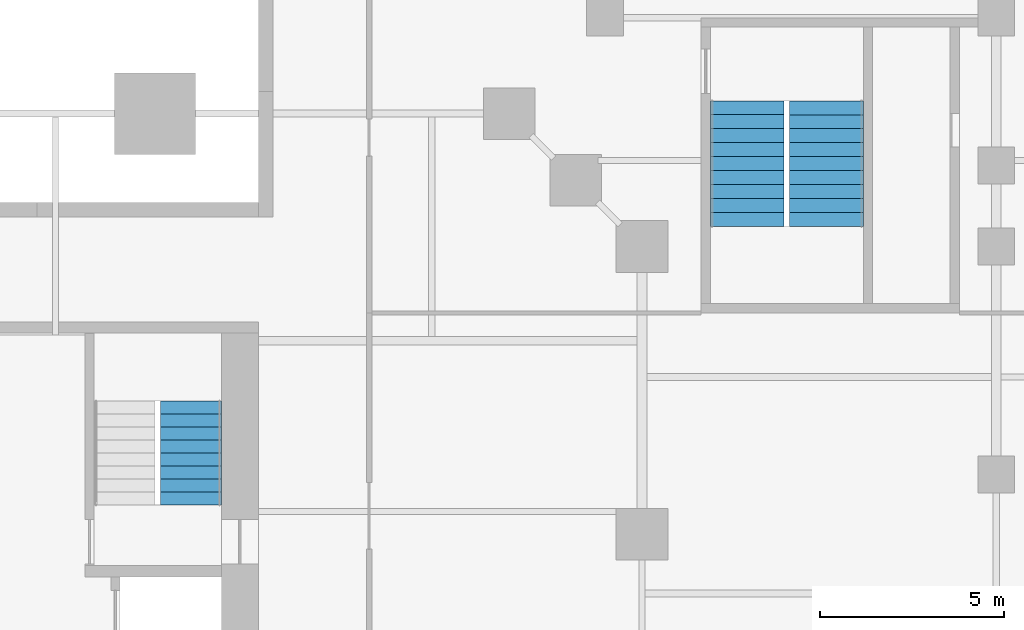
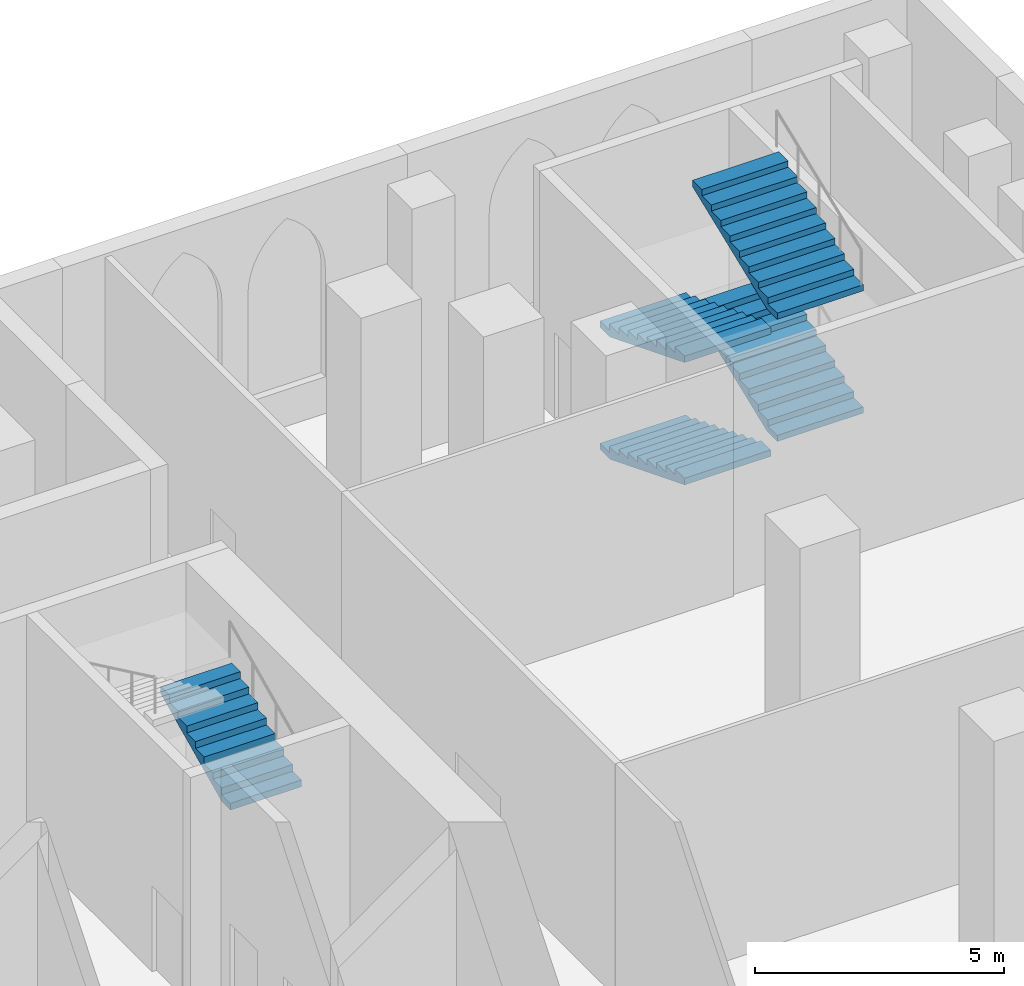
# One storey, part 19 of 21: 5 stair flights, 2 elements without a shape of their own.
"""IFC4 building model written with IfcOpenShell, lengths in metres."""

from ifc_helpers import new_model, si_unit, direction, frame, origin, place, context, subcontext, project, spatial, polyline, outline, extrude, material, type_object, element, aggregate, save


model = new_model("IFC4")

# Units and contexts
model_context = context("Model", 3, precision=1e-05, world=origin(), true_north=direction((0.0, 1.0)))
body_context = subcontext(model_context, "Body", "Model", "MODEL_VIEW")
ifc_project = project(units=[si_unit("LENGTHUNIT", "METRE"), si_unit("AREAUNIT", "SQUARE_METRE"), si_unit("VOLUMEUNIT", "CUBIC_METRE"), si_unit("PLANEANGLEUNIT", "RADIAN"), si_unit("MASSUNIT", "GRAM", prefix="KILO")], contexts=[model_context])

# Site, building, storey
site_placement = place(None, origin())
site = spatial("IfcSite", under=ifc_project, at=site_placement, CompositionType="ELEMENT")
building_placement = place(site_placement, origin())
building = spatial("IfcBuilding", under=site, at=building_placement, Name="Ogive Exchange Tower", CompositionType="ELEMENT")
storey_placement = place(building_placement, frame((0.0, 0.0, 8.0)))
storey = spatial("IfcBuildingStorey", under=building, at=storey_placement, Name="L01", CompositionType="ELEMENT", Elevation=8.0)

# Stair, stair flight
ifc_material = material(Name="Concrete C40/50", Category="concrete")
stair_type_1 = type_object("IfcStairType", Name="Exit stair 1650 wide", PredefinedType="HALF_TURN_STAIR", material=ifc_material)
stair_1_placement = place(storey_placement, origin())
stair_1 = element("IfcStair", 1, at=stair_1_placement, inside=storey, type_object=stair_type_1, Name="L01 exit stair ST4", PredefinedType="HALF_TURN_STAIR")
stair_flight_type_1 = type_object("IfcStairFlightType", Name="Stair flight 1650 wide", PredefinedType="STRAIGHT", material=ifc_material)
stair_flight_1_placement = place(storey_placement, frame((20.175048828125, 20.800048828125, 3.0), z_axis=(0.0, 0.0, 1.0), x_axis=(0.0, 1.0, 0.0)))
stair_flight_1 = element("IfcStairFlight", 2, at=stair_flight_1_placement, type_object=stair_flight_type_1, Name="ST4 flight 3", NumberOfRisers=9, NumberOfTreads=8, PredefinedType="STRAIGHT", RiserHeight=0.166666667, TreadLength=0.351, context=body_context, shape_type="SweptSolid", body=[
    extrude(outline(polyline([(0.0, 0.0), (0.0, 0.166748046875), (0.35107421875, 0.166748046875), (0.35107421875, 0.333251953125), (0.701904296875, 0.333251953125), (0.701904296875, 0.5), (1.052978515625, 0.5), (1.052978515625, 0.666748046875), (1.404052734375, 0.666748046875), (1.404052734375, 0.833251953125), (1.7548828125, 0.833251953125), (1.7548828125, 1.0), (2.10595703125, 1.0), (2.10595703125, 1.166748046875), (2.45703125, 1.166748046875), (2.45703125, 1.333251953125), (2.80810546875, 1.333251953125), (2.80810546875, 1.5), (2.80810546875, 1.16748046875), (0.349365234375, 0.0), (0.0, 0.0)])), frame((0.0, 0.824951171875, 0.0), z_axis=(0.0, -1.0, 0.0), x_axis=(1.0, 0.0, 0.0)), (0.0, 0.0, 1.0), 1.64990234375),
])
aggregate(stair_1, [stair_flight_1])

# Stair, stair flights
stair_type_2 = type_object("IfcStairType", Name="Exit stair 2000 wide", PredefinedType="HALF_TURN_STAIR", material=ifc_material)
stair_2_placement = place(storey_placement, origin())
stair_2 = element("IfcStair", 3, at=stair_2_placement, inside=storey, type_object=stair_type_2, Name="L01 exit stair PS4", PredefinedType="HALF_TURN_STAIR")
stair_flight_type_2 = type_object("IfcStairFlightType", Name="Stair flight 2000 wide", PredefinedType="STRAIGHT", material=ifc_material)
stair_flight_2_placement = place(storey_placement, frame((35.25, 31.75, 0.0), z_axis=(0.0, 0.0, 1.0), x_axis=(0.0, -1.0, 0.0)))
stair_flight_2 = element("IfcStairFlight", 4, at=stair_flight_2_placement, type_object=stair_flight_type_2, Name="PS4 flight 1", NumberOfRisers=10, NumberOfTreads=9, PredefinedType="STRAIGHT", RiserHeight=0.15, TreadLength=0.378, context=body_context, shape_type="SweptSolid", body=[
    extrude(outline(polyline([(0.0, 0.0), (0.0, 0.14990234375), (0.3779296875, 0.14990234375), (0.3779296875, 0.300048828125), (0.756103515625, 0.300048828125), (0.756103515625, 0.449951171875), (1.134033203125, 0.449951171875), (1.134033203125, 0.60009765625), (1.511962890625, 0.60009765625), (1.511962890625, 0.75), (1.889892578125, 0.75), (1.889892578125, 0.89990234375), (2.26806640625, 0.89990234375), (2.26806640625, 1.050048828125), (2.64599609375, 1.050048828125), (2.64599609375, 1.199951171875), (3.02392578125, 1.199951171875), (3.02392578125, 1.35009765625), (3.402099609375, 1.35009765625), (3.402099609375, 1.5), (3.402099609375, 1.188720703125), (0.406494140625, 0.0), (0.0, 0.0)])), frame((0.0, 1.0, 0.0), z_axis=(0.0, -1.0, 0.0), x_axis=(1.0, 0.0, 0.0)), (0.0, 0.0, 1.0), 2.0),
])
stair_flight_3_placement = place(storey_placement, frame((37.39990234375, 28.347900390625, 1.5), z_axis=(0.0, 0.0, 1.0), x_axis=(0.0, 1.0, 0.0)))
stair_flight_3 = element("IfcStairFlight", 5, at=stair_flight_3_placement, type_object=stair_flight_type_2, Name="PS4 flight 2", NumberOfRisers=10, NumberOfTreads=9, PredefinedType="STRAIGHT", RiserHeight=0.15, TreadLength=0.378, context=body_context, shape_type="SweptSolid", body=[
    extrude(outline(polyline([(0.0, 0.0), (0.0, 0.14990234375), (0.3779296875, 0.14990234375), (0.3779296875, 0.300048828125), (0.756103515625, 0.300048828125), (0.756103515625, 0.449951171875), (1.134033203125, 0.449951171875), (1.134033203125, 0.60009765625), (1.511962890625, 0.60009765625), (1.511962890625, 0.75), (1.889892578125, 0.75), (1.889892578125, 0.89990234375), (2.26806640625, 0.89990234375), (2.26806640625, 1.050048828125), (2.64599609375, 1.050048828125), (2.64599609375, 1.199951171875), (3.02392578125, 1.199951171875), (3.02392578125, 1.35009765625), (3.402099609375, 1.35009765625), (3.402099609375, 1.5), (3.402099609375, 1.188720703125), (0.406494140625, 0.0), (0.0, 0.0)])), frame((0.0, 1.0, 0.0), z_axis=(0.0, -1.0, 0.0), x_axis=(1.0, 0.0, 0.0)), (0.0, 0.0, 1.0), 2.0),
])
stair_flight_4_placement = place(storey_placement, frame((35.25, 31.75, 3.0), z_axis=(0.0, 0.0, 1.0), x_axis=(0.0, -1.0, 0.0)))
stair_flight_4 = element("IfcStairFlight", 6, at=stair_flight_4_placement, type_object=stair_flight_type_2, Name="PS4 flight 3", NumberOfRisers=10, NumberOfTreads=9, PredefinedType="STRAIGHT", RiserHeight=0.15, TreadLength=0.378, context=body_context, shape_type="SweptSolid", body=[
    extrude(outline(polyline([(0.0, 0.0), (0.0, 0.14990234375), (0.3779296875, 0.14990234375), (0.3779296875, 0.300048828125), (0.756103515625, 0.300048828125), (0.756103515625, 0.449951171875), (1.134033203125, 0.449951171875), (1.134033203125, 0.60009765625), (1.511962890625, 0.60009765625), (1.511962890625, 0.75), (1.889892578125, 0.75), (1.889892578125, 0.89990234375), (2.26806640625, 0.89990234375), (2.26806640625, 1.050048828125), (2.64599609375, 1.050048828125), (2.64599609375, 1.199951171875), (3.02392578125, 1.199951171875), (3.02392578125, 1.35009765625), (3.402099609375, 1.35009765625), (3.402099609375, 1.5), (3.402099609375, 1.188720703125), (0.406494140625, 0.0), (0.0, 0.0)])), frame((0.0, 1.0, 0.0), z_axis=(0.0, -1.0, 0.0), x_axis=(1.0, 0.0, 0.0)), (0.0, 0.0, 1.0), 2.0),
])
stair_flight_5_placement = place(storey_placement, frame((37.39990234375, 28.347900390625, 4.5), z_axis=(0.0, 0.0, 1.0), x_axis=(0.0, 1.0, 0.0)))
stair_flight_5 = element("IfcStairFlight", 7, at=stair_flight_5_placement, type_object=stair_flight_type_2, Name="PS4 flight 4", NumberOfRisers=10, NumberOfTreads=9, PredefinedType="STRAIGHT", RiserHeight=0.15, TreadLength=0.378, context=body_context, shape_type="SweptSolid", body=[
    extrude(outline(polyline([(0.0, 0.0), (0.0, 0.14990234375), (0.3779296875, 0.14990234375), (0.3779296875, 0.300048828125), (0.756103515625, 0.300048828125), (0.756103515625, 0.449951171875), (1.134033203125, 0.449951171875), (1.134033203125, 0.60009765625), (1.511962890625, 0.60009765625), (1.511962890625, 0.75), (1.889892578125, 0.75), (1.889892578125, 0.89990234375), (2.26806640625, 0.89990234375), (2.26806640625, 1.050048828125), (2.64599609375, 1.050048828125), (2.64599609375, 1.199951171875), (3.02392578125, 1.199951171875), (3.02392578125, 1.35009765625), (3.402099609375, 1.35009765625), (3.402099609375, 1.5), (3.402099609375, 1.188720703125), (0.406494140625, 0.0), (0.0, 0.0)])), frame((0.0, 1.0, 0.0), z_axis=(0.0, -1.0, 0.0), x_axis=(1.0, 0.0, 0.0)), (0.0, 0.0, 1.0), 2.0),
])
aggregate(stair_2, [stair_flight_2, stair_flight_3, stair_flight_4, stair_flight_5])

save(model, "model.ifc")
